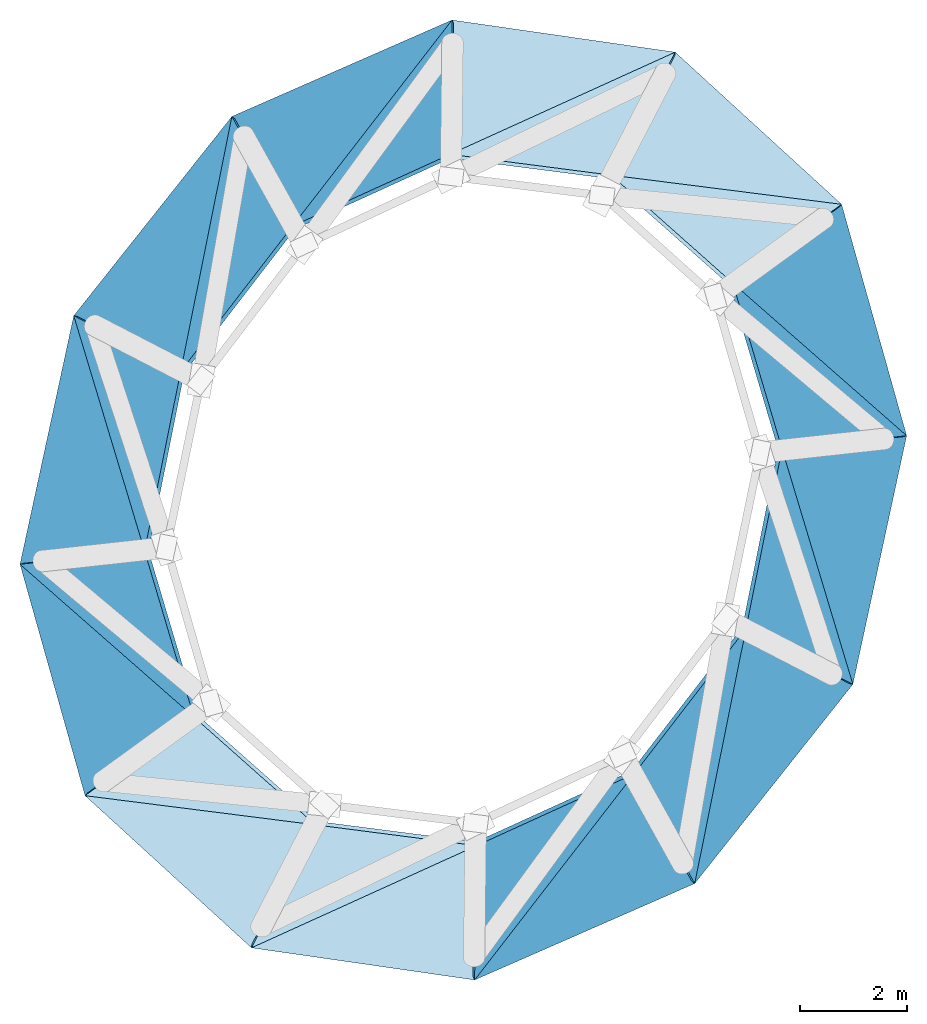
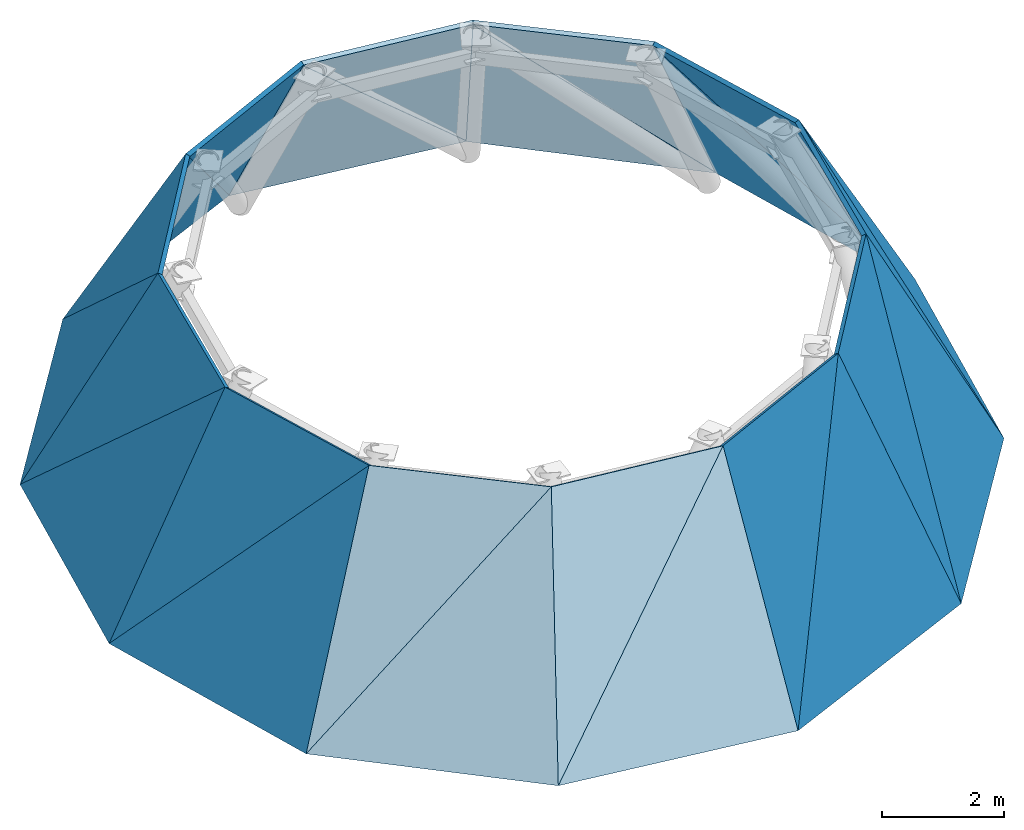
# One storey, part 2 of 2: 24 roofs.
"""IFC4 building model written with IfcOpenShell, lengths in metres."""

from ifc_helpers import new_model, si_unit, direction, frame, origin, place, context, subcontext, project, spatial, polyline, outline, extrude, material, layer, layer_set, type_object, element, save


model = new_model("IFC4")

# Units and contexts
model_context = context("Model", 3, precision=1e-05, world=origin(), true_north=direction((0.0, 1.0)))
body_context = subcontext(model_context, "Body", "Model", "MODEL_VIEW")
ifc_project = project(units=[si_unit("LENGTHUNIT", "METRE"), si_unit("AREAUNIT", "SQUARE_METRE"), si_unit("VOLUMEUNIT", "CUBIC_METRE"), si_unit("PLANEANGLEUNIT", "RADIAN"), si_unit("MASSUNIT", "GRAM", prefix="KILO")], contexts=[model_context])

# Site, building, storey
site_placement = place(None, origin())
site = spatial("IfcSite", under=ifc_project, at=site_placement, CompositionType="ELEMENT")
building_placement = place(site_placement, origin())
building = spatial("IfcBuilding", under=site, at=building_placement, Name="Veldorim Arch Residences", CompositionType="ELEMENT")
storey_placement = place(building_placement, frame((0.0, 0.0, 259.360107421875)))
storey = spatial("IfcBuildingStorey", under=building, at=storey_placement, Name="L77", CompositionType="ELEMENT", Elevation=259.360107421875)

# Roofs
ifc_material = material(Name="Laminated Low-E Glass", Category="glass")
ifc_layer = layer(ifc_material, 0.080078125, Name="Glass-Point Crown Laminated Double-Glazed Roof Facet")
ifc_layer_set = layer_set([ifc_layer], Name="Laminated Low-E Glass")
roof_type = type_object("IfcRoofType", Name="Glass-Point Crown Laminated Double-Glazed Roof Facet", PredefinedType="PAVILION_ROOF", material=ifc_layer_set)
roof_1_placement = place(storey_placement, frame((35.977294921875, 32.406494140625, 0.0), z_axis=(0.122255727976, 0.848275793101, 0.515249178375), x_axis=(-0.989773377969, 0.142648730329, 0.0)))
element("IfcRoof", 1, at=roof_1_placement, inside=storey, type_object=roof_type, Name="L77 tapering glass-point crown facet 01A", PredefinedType="PAVILION_ROOF", context=body_context, shape_type="SweptSolid", body=[
    extrude(outline(polyline([(0.0, 0.0), (4.232493091471713, 5.551115123125783e-17), (3.9090531304992187, 4.853810864387637), (0.0, 0.0)])), origin(), (0.0, 0.0, -1.0), 0.080078125),
])
roof_2_placement = place(storey_placement, frame((35.977294921875, 32.406494140625, 0.0), z_axis=(0.110563713504, 0.855108870355, 0.506521949274), x_axis=(-0.678065165492, -0.307712858914, 0.667488148063)))
element("IfcRoof", 2, at=roof_2_placement, inside=storey, type_object=roof_type, Name="L77 tapering glass-point crown facet 01B", PredefinedType="PAVILION_ROOF", context=body_context, shape_type="SweptSolid", body=[
    extrude(outline(polyline([(0.0, 0.0), (6.232188723419181, -4.440892098500626e-16), (4.3014584010387145, 2.361203974720312), (0.0, 0.0)])), origin(), (0.0, 0.0, -1.0), 0.080078125),
])
roof_3_placement = place(storey_placement, frame((31.7880859375, 33.01025390625, 0.0), z_axis=(-0.349679156185, 0.798141730952, 0.490606018147), x_axis=(-0.915949813399, -0.401292834889, 0.0)))
element("IfcRoof", 3, at=roof_3_placement, inside=storey, type_object=roof_type, Name="L77 tapering glass-point crown facet 03A", PredefinedType="PAVILION_ROOF", context=body_context, shape_type="SweptSolid", body=[
    extrude(outline(polyline([(0.0, 0.0), (4.511784705798765, -1.1102230246251565e-16), (4.295811818431744, 4.773927452451561), (0.0, 0.0)])), origin(), (0.0, 0.0, -1.0), 0.080078125),
])
roof_4_placement = place(storey_placement, frame((31.7880859375, 33.01025390625, 0.0), z_axis=(-0.363564456066, 0.79806349894, 0.480536718624), x_axis=(-0.466332855083, -0.602465402084, 0.647741543798)))
element("IfcRoof", 4, at=roof_4_placement, inside=storey, type_object=roof_type, Name="L77 tapering glass-point crown facet 03B", PredefinedType="PAVILION_ROOF", context=body_context, shape_type="SweptSolid", body=[
    extrude(outline(polyline([(0.0, 0.0), (6.422178952711338, 0.0), (4.230732608827103, 2.401040380378548), (0.0, 0.0)])), origin(), (0.0, 0.0, -1.0), 0.080078125),
])
roof_5_placement = place(storey_placement, frame((27.655517578125, 31.19970703125, 0.0), z_axis=(-0.69095102406, 0.548412491874, 0.470988769618), x_axis=(-0.621684750091, -0.78326756061, 0.0)))
element("IfcRoof", 5, at=roof_5_placement, inside=storey, type_object=roof_type, Name="L77 tapering glass-point crown facet 05A", PredefinedType="PAVILION_ROOF", context=body_context, shape_type="SweptSolid", body=[
    extrude(outline(polyline([(0.0, 0.0), (4.774544844978952, -2.220446049250313e-16), (4.344805272464183, 4.715709358261869), (0.0, 0.0)])), origin(), (0.0, 0.0, -1.0), 0.080078125),
])
roof_6_placement = place(storey_placement, frame((27.655517578125, 31.19970703125, 0.0), z_axis=(-0.703283307968, 0.541685020327, 0.460401919509), x_axis=(-0.149938896, -0.746077365954, 0.648757960627)))
element("IfcRoof", 6, at=roof_6_placement, inside=storey, type_object=roof_type, Name="L77 tapering glass-point crown facet 05B", PredefinedType="PAVILION_ROOF", context=body_context, shape_type="SweptSolid", body=[
    extrude(outline(polyline([(0.0, 0.0), (6.412117248400184, -4.440892098500626e-16), (4.064061519895234, 2.51404685156326), (0.0, 0.0)])), origin(), (0.0, 0.0, -1.0), 0.080078125),
])
roof_7_placement = place(storey_placement, frame((24.687255859375, 27.4599609375, 0.0), z_axis=(-0.861187442833, 0.18620390799, 0.472952738607), x_axis=(-0.211334112788, -0.977413879977, 0.0)))
element("IfcRoof", 7, at=roof_7_placement, inside=storey, type_object=roof_type, Name="L77 tapering glass-point crown facet 07A", PredefinedType="PAVILION_ROOF", context=body_context, shape_type="SweptSolid", body=[
    extrude(outline(polyline([(0.0, 0.0), (4.7745874521282285, -5.551115123125783e-17), (4.036003155376663, 4.72133664862946), (0.0, 0.0)])), origin(), (0.0, 0.0, -1.0), 0.080078125),
])
roof_8_placement = place(storey_placement, frame((24.687255859375, 27.4599609375, 0.0), z_axis=(-0.868996578569, 0.174503873531, 0.463026289273), x_axis=(0.214059574017, -0.711081849715, 0.66973211195)))
element("IfcRoof", 8, at=roof_8_placement, inside=storey, type_object=roof_type, Name="L77 tapering glass-point crown facet 07B", PredefinedType="PAVILION_ROOF", context=body_context, shape_type="SweptSolid", body=[
    extrude(outline(polyline([(0.0, 0.0), (6.211307529007241, 0.0), (3.958113336224401, 2.5992171262490364), (0.0, 0.0)])), origin(), (0.0, 0.0, -1.0), 0.080078125),
])
roof_9_placement = place(storey_placement, frame((23.67822265625, 22.793212890625, 0.0), z_axis=(-0.836722829112, -0.235200431026, 0.494545917472), x_axis=(0.270609243798, -0.962689273427, 0.0)))
element("IfcRoof", 9, at=roof_9_placement, inside=storey, type_object=roof_type, Name="L77 tapering glass-point crown facet 09A", PredefinedType="PAVILION_ROOF", context=body_context, shape_type="SweptSolid", body=[
    extrude(outline(polyline([(0.0, 0.0), (4.511846116154907, 0.0), (3.64264850313785, 4.786176051088482), (0.0, 0.0)])), origin(), (0.0, 0.0, -1.0), 0.080078125),
])
roof_10_placement = place(storey_placement, frame((23.67822265625, 22.793212890625, 0.0), z_axis=(-0.837795899888, -0.248897058318, 0.485950907491), x_axis=(0.542739526673, -0.476535939207, 0.691626564579)))
element("IfcRoof", 10, at=roof_10_placement, inside=storey, type_object=roof_type, Name="L77 tapering glass-point crown facet 09B", PredefinedType="PAVILION_ROOF", context=body_context, shape_type="SweptSolid", body=[
    extrude(outline(polyline([(0.0, 0.0), (6.0146794851783545, 0.0), (4.02723490188125, 2.572529019888637), (0.0, 0.0)])), origin(), (0.0, 0.0, -1.0), 0.080078125),
])
roof_11_placement = place(storey_placement, frame((24.899169921875, 18.44970703125, 0.0), z_axis=(-0.577527097721, -0.631582330818, 0.517268026072), x_axis=(0.737982028656, -0.674820365268, 0.0)))
element("IfcRoof", 11, at=roof_11_placement, inside=storey, type_object=roof_type, Name="L77 tapering glass-point crown facet 11A", PredefinedType="PAVILION_ROOF", context=body_context, shape_type="SweptSolid", body=[
    extrude(outline(polyline([(0.0, 0.0), (4.2325355292720035, 0.0), (3.560747786257921, 4.860712891586745), (0.0, 0.0)])), origin(), (0.0, 0.0, -1.0), 0.080078125),
])
roof_12_placement = place(storey_placement, frame((24.899169921875, 18.44970703125, 0.0), z_axis=(-0.571316585093, -0.643652581035, 0.509223639009), x_axis=(0.717705434944, -0.090842634514, 0.690395918591)))
element("IfcRoof", 12, at=roof_12_placement, inside=storey, type_object=roof_type, Name="L77 tapering glass-point crown facet 11B", PredefinedType="PAVILION_ROOF", context=body_context, shape_type="SweptSolid", body=[
    extrude(outline(polyline([(0.0, 0.0), (6.025400784327816, 0.0), (4.2043851967544725, 2.44665706624352), (0.0, 0.0)])), origin(), (0.0, 0.0, -1.0), 0.080078125),
])
roof_13_placement = place(storey_placement, frame((28.022705078125, 15.593505859375, 0.0), z_axis=(-0.122255727976, -0.848275793101, 0.515249178375), x_axis=(0.989773377969, -0.142648730329, 0.0)))
element("IfcRoof", 13, at=roof_13_placement, inside=storey, type_object=roof_type, Name="L77 tapering glass-point crown facet 13A", PredefinedType="PAVILION_ROOF", context=body_context, shape_type="SweptSolid", body=[
    extrude(outline(polyline([(0.0, 0.0), (4.232493091471713, 5.551115123125783e-17), (3.9090531304992187, 4.853810864387637), (0.0, 0.0)])), origin(), (0.0, 0.0, -1.0), 0.080078125),
])
roof_14_placement = place(storey_placement, frame((28.022705078125, 15.593505859375, 0.0), z_axis=(-0.110563713504, -0.855108870355, 0.506521949274), x_axis=(0.678065165492, 0.307712858914, 0.667488148063)))
element("IfcRoof", 14, at=roof_14_placement, inside=storey, type_object=roof_type, Name="L77 tapering glass-point crown facet 13B", PredefinedType="PAVILION_ROOF", context=body_context, shape_type="SweptSolid", body=[
    extrude(outline(polyline([(0.0, 0.0), (6.232188723419181, -4.440892098500626e-16), (4.3014584010387145, 2.361203974720312), (0.0, 0.0)])), origin(), (0.0, 0.0, -1.0), 0.080078125),
])
roof_15_placement = place(storey_placement, frame((32.2119140625, 14.98974609375, 0.0), z_axis=(0.349679156185, -0.798141730952, 0.490606018147), x_axis=(0.915949813399, 0.401292834889, 0.0)))
element("IfcRoof", 15, at=roof_15_placement, inside=storey, type_object=roof_type, Name="L77 tapering glass-point crown facet 15A", PredefinedType="PAVILION_ROOF", context=body_context, shape_type="SweptSolid", body=[
    extrude(outline(polyline([(0.0, 0.0), (4.511784705798765, -1.1102230246251565e-16), (4.295811818431744, 4.773927452451561), (0.0, 0.0)])), origin(), (0.0, 0.0, -1.0), 0.080078125),
])
roof_16_placement = place(storey_placement, frame((32.2119140625, 14.98974609375, 0.0), z_axis=(0.363564456066, -0.79806349894, 0.480536718624), x_axis=(0.466332855083, 0.602465402084, 0.647741543798)))
element("IfcRoof", 16, at=roof_16_placement, inside=storey, type_object=roof_type, Name="L77 tapering glass-point crown facet 15B", PredefinedType="PAVILION_ROOF", context=body_context, shape_type="SweptSolid", body=[
    extrude(outline(polyline([(0.0, 0.0), (6.422178952711338, 0.0), (4.230732608827103, 2.401040380378548), (0.0, 0.0)])), origin(), (0.0, 0.0, -1.0), 0.080078125),
])
roof_17_placement = place(storey_placement, frame((36.344482421875, 16.80029296875, 0.0), z_axis=(0.69095102406, -0.548412491874, 0.470988769618), x_axis=(0.621684750091, 0.78326756061, 0.0)))
element("IfcRoof", 17, at=roof_17_placement, inside=storey, type_object=roof_type, Name="L77 tapering glass-point crown facet 17A", PredefinedType="PAVILION_ROOF", context=body_context, shape_type="SweptSolid", body=[
    extrude(outline(polyline([(0.0, 0.0), (4.774544844978952, -2.220446049250313e-16), (4.344805272464183, 4.715709358261869), (0.0, 0.0)])), origin(), (0.0, 0.0, -1.0), 0.080078125),
])
roof_18_placement = place(storey_placement, frame((36.344482421875, 16.80029296875, 0.0), z_axis=(0.703283307968, -0.541685020327, 0.460401919509), x_axis=(0.149938896, 0.746077365954, 0.648757960627)))
element("IfcRoof", 18, at=roof_18_placement, inside=storey, type_object=roof_type, Name="L77 tapering glass-point crown facet 17B", PredefinedType="PAVILION_ROOF", context=body_context, shape_type="SweptSolid", body=[
    extrude(outline(polyline([(0.0, 0.0), (6.412117248400184, -4.440892098500626e-16), (4.064061519895234, 2.51404685156326), (0.0, 0.0)])), origin(), (0.0, 0.0, -1.0), 0.080078125),
])
roof_19_placement = place(storey_placement, frame((39.312744140625, 20.5400390625, 0.0), z_axis=(0.861187442833, -0.18620390799, 0.472952738607), x_axis=(0.211334112788, 0.977413879977, 0.0)))
element("IfcRoof", 19, at=roof_19_placement, inside=storey, type_object=roof_type, Name="L77 tapering glass-point crown facet 19A", PredefinedType="PAVILION_ROOF", context=body_context, shape_type="SweptSolid", body=[
    extrude(outline(polyline([(0.0, 0.0), (4.7745874521282285, -5.551115123125783e-17), (4.036003155376663, 4.72133664862946), (0.0, 0.0)])), origin(), (0.0, 0.0, -1.0), 0.080078125),
])
roof_20_placement = place(storey_placement, frame((39.312744140625, 20.5400390625, 0.0), z_axis=(0.868996578569, -0.174503873531, 0.463026289273), x_axis=(-0.214059574017, 0.711081849715, 0.66973211195)))
element("IfcRoof", 20, at=roof_20_placement, inside=storey, type_object=roof_type, Name="L77 tapering glass-point crown facet 19B", PredefinedType="PAVILION_ROOF", context=body_context, shape_type="SweptSolid", body=[
    extrude(outline(polyline([(0.0, 0.0), (6.211307529007241, 0.0), (3.958113336224401, 2.5992171262490364), (0.0, 0.0)])), origin(), (0.0, 0.0, -1.0), 0.080078125),
])
roof_21_placement = place(storey_placement, frame((40.32177734375, 25.206787109375, 0.0), z_axis=(0.836722829112, 0.235200431026, 0.494545917472), x_axis=(-0.270609243798, 0.962689273427, 0.0)))
element("IfcRoof", 21, at=roof_21_placement, inside=storey, type_object=roof_type, Name="L77 tapering glass-point crown facet 21A", PredefinedType="PAVILION_ROOF", context=body_context, shape_type="SweptSolid", body=[
    extrude(outline(polyline([(0.0, 0.0), (4.511846116154907, 0.0), (3.64264850313785, 4.786176051088482), (0.0, 0.0)])), origin(), (0.0, 0.0, -1.0), 0.080078125),
])
roof_22_placement = place(storey_placement, frame((40.32177734375, 25.206787109375, 0.0), z_axis=(0.837795899888, 0.248897058318, 0.485950907491), x_axis=(-0.542739526673, 0.476535939207, 0.691626564579)))
element("IfcRoof", 22, at=roof_22_placement, inside=storey, type_object=roof_type, Name="L77 tapering glass-point crown facet 21B", PredefinedType="PAVILION_ROOF", context=body_context, shape_type="SweptSolid", body=[
    extrude(outline(polyline([(0.0, 0.0), (6.0146794851783545, 0.0), (4.02723490188125, 2.572529019888637), (0.0, 0.0)])), origin(), (0.0, 0.0, -1.0), 0.080078125),
])
roof_23_placement = place(storey_placement, frame((39.100830078125, 29.55029296875, 0.0), z_axis=(0.577527097721, 0.631582330818, 0.517268026072), x_axis=(-0.737982028656, 0.674820365268, 0.0)))
element("IfcRoof", 23, at=roof_23_placement, inside=storey, type_object=roof_type, Name="L77 tapering glass-point crown facet 23A", PredefinedType="PAVILION_ROOF", context=body_context, shape_type="SweptSolid", body=[
    extrude(outline(polyline([(0.0, 0.0), (4.2325355292720035, 0.0), (3.560747786257921, 4.860712891586745), (0.0, 0.0)])), origin(), (0.0, 0.0, -1.0), 0.080078125),
])
roof_24_placement = place(storey_placement, frame((39.100830078125, 29.55029296875, 0.0), z_axis=(0.571316585093, 0.643652581035, 0.509223639009), x_axis=(-0.717705434944, 0.090842634514, 0.690395918591)))
element("IfcRoof", 24, at=roof_24_placement, inside=storey, type_object=roof_type, Name="L77 tapering glass-point crown facet 23B", PredefinedType="PAVILION_ROOF", context=body_context, shape_type="SweptSolid", body=[
    extrude(outline(polyline([(0.0, 0.0), (6.025400784327816, 0.0), (4.2043851967544725, 2.44665706624352), (0.0, 0.0)])), origin(), (0.0, 0.0, -1.0), 0.080078125),
])

save(model, "model.ifc")
